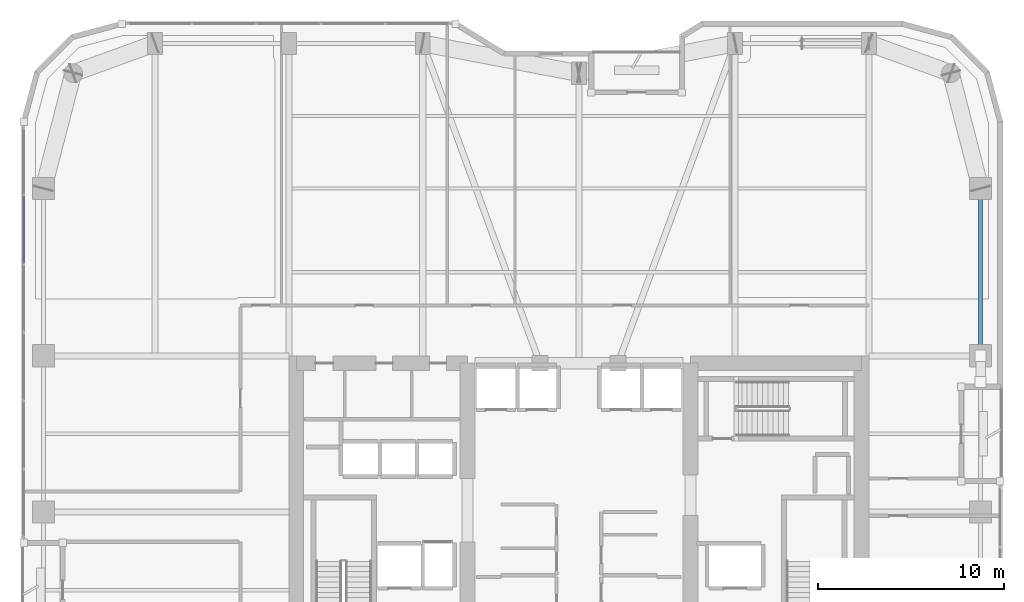
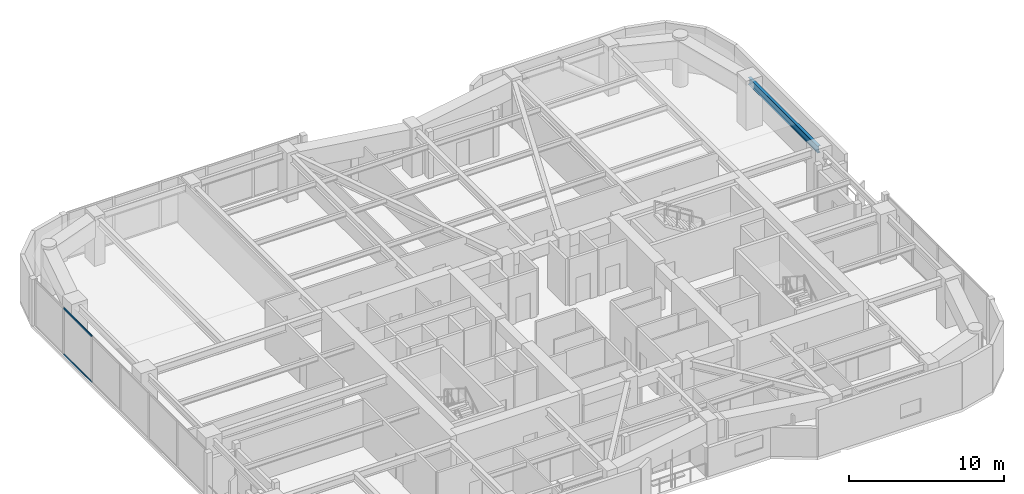
# One storey, part 12 of 30: 2 members, 1 beam, 1 element without a shape of its own.
"""IFC4 building model written with IfcOpenShell, lengths in metres."""

from ifc_helpers import new_model, si_unit, direction, frame, origin, origin_2d, place, context, subcontext, project, spatial, hollow_rectangle, i_section, extrude, material, layer, layer_set, material_profile, profile_set, type_object, element, aggregate, save


model = new_model("IFC4")

# Units and contexts
model_context = context("Model", 3, precision=1e-05, world=origin(), true_north=direction((0.0, 1.0)))
body_context = subcontext(model_context, "Body", "Model", "MODEL_VIEW")
ifc_project = project(units=[si_unit("LENGTHUNIT", "METRE"), si_unit("AREAUNIT", "SQUARE_METRE"), si_unit("VOLUMEUNIT", "CUBIC_METRE"), si_unit("PLANEANGLEUNIT", "RADIAN"), si_unit("MASSUNIT", "GRAM", prefix="KILO")], contexts=[model_context])

# Site, building, storey
site_placement = place(None, origin())
site = spatial("IfcSite", under=ifc_project, at=site_placement, CompositionType="ELEMENT")
building_placement = place(site_placement, origin())
building = spatial("IfcBuilding", under=site, at=building_placement, Name="Kiyonajd Concourse Tower", CompositionType="ELEMENT")
storey_placement = place(building_placement, frame((0.0, 0.0, 166.199951171875)))
storey = spatial("IfcBuildingStorey", under=building, at=storey_placement, Name="L42", CompositionType="ELEMENT", Elevation=166.199951171875)

# Beam
ifc_material_1 = material(Name="Steel ASTM A992 Grade 50", Category="steel")
ifc_material_profile_1 = material_profile(ifc_material_1, i_section(OverallWidth=0.214111328125, OverallDepth=0.549072265625, WebThickness=0.0146484375, FlangeThickness=0.023681640625, at=origin_2d()), Name="W530X138")
ifc_profile_set_1 = profile_set([ifc_material_profile_1], Name="Steel ASTM A992 Grade 50")
beam_type = type_object("IfcBeamType", Name="BM-SPAN-530A", PredefinedType="SPANDREL", material=ifc_profile_set_1)
beam_placement = place(storey_placement, frame((69.60009765625, 44.39990234375, 3.405517578125), z_axis=(0.0, 1.0, 0.0), x_axis=(-1.0, 0.0, 0.0)))
element("IfcBeam", 1, at=beam_placement, inside=storey, type_object=beam_type, Name="L42 Perimeter Bundled Tube Spandrel", PredefinedType="SPANDREL", context=body_context, shape_type="SweptSolid", body=[
    extrude(i_section(OverallWidth=0.214111328125, OverallDepth=0.549072265625, WebThickness=0.0146484375, FlangeThickness=0.023681640625, at=origin_2d()), origin(), (0.0, 0.0, 1.0), 9.0),
])

# Curtain wall, members
ifc_material_2 = material(Name="Thermally Broken Anodised Aluminium", Category="aluminium")
ifc_layer = layer(ifc_material_2, 0.179931640625)
ifc_layer_set = layer_set([ifc_layer], Name="Thermally Broken Anodised Aluminium")
curtain_wall_type = type_object("IfcCurtainWallType", Name="CW-SYS-03", PredefinedType="NOTDEFINED", material=ifc_layer_set)
curtain_wall_placement = place(storey_placement, origin())
curtain_wall = element("IfcCurtainWall", 2, at=curtain_wall_placement, inside=storey, type_object=curtain_wall_type, Name="L42 Unitised Curtain Wall CW3", PredefinedType="NOTDEFINED")
ifc_material_profile_2 = material_profile(ifc_material_2, hollow_rectangle(XDim=0.06494140625, YDim=0.139892578125, WallThickness=0.00390625, at=origin_2d()), Name="TRAN-65x140")
ifc_profile_set_2 = profile_set([ifc_material_profile_2], Name="Thermally Broken Anodised Aluminium")
member_type = type_object("IfcMemberType", Name="MB-CW-TRAN1", PredefinedType="USERDEFINED", material=ifc_profile_set_2)
member_1_placement = place(storey_placement, frame((18.139892578125, 49.3701171875, 0.032470703125), z_axis=(0.0, 1.0, 0.0), x_axis=(-1.0, 0.0, 0.0)))
member_1 = element("IfcMember", 3, at=member_1_placement, type_object=member_type, Name="CW3 transom 5.1", ObjectType="TRANSOM", PredefinedType="USERDEFINED", context=body_context, shape_type="SweptSolid", body=[
    extrude(hollow_rectangle(XDim=0.06494140625, YDim=0.139892578125, WallThickness=0.00390625, at=origin_2d()), origin(), (0.0, 0.0, 1.0), 3.612060546875),
])
member_2_placement = place(storey_placement, frame((18.139892578125, 49.3701171875, 3.6474609375), z_axis=(0.0, 1.0, 0.0), x_axis=(-1.0, 0.0, 0.0)))
member_2 = element("IfcMember", 4, at=member_2_placement, type_object=member_type, Name="CW3 transom 5.2", ObjectType="TRANSOM", PredefinedType="USERDEFINED", context=body_context, shape_type="SweptSolid", body=[
    extrude(hollow_rectangle(XDim=0.06494140625, YDim=0.139892578125, WallThickness=0.00390625, at=origin_2d()), origin(), (0.0, 0.0, 1.0), 3.612060546875),
])
aggregate(curtain_wall, [member_1, member_2])

save(model, "model.ifc")
